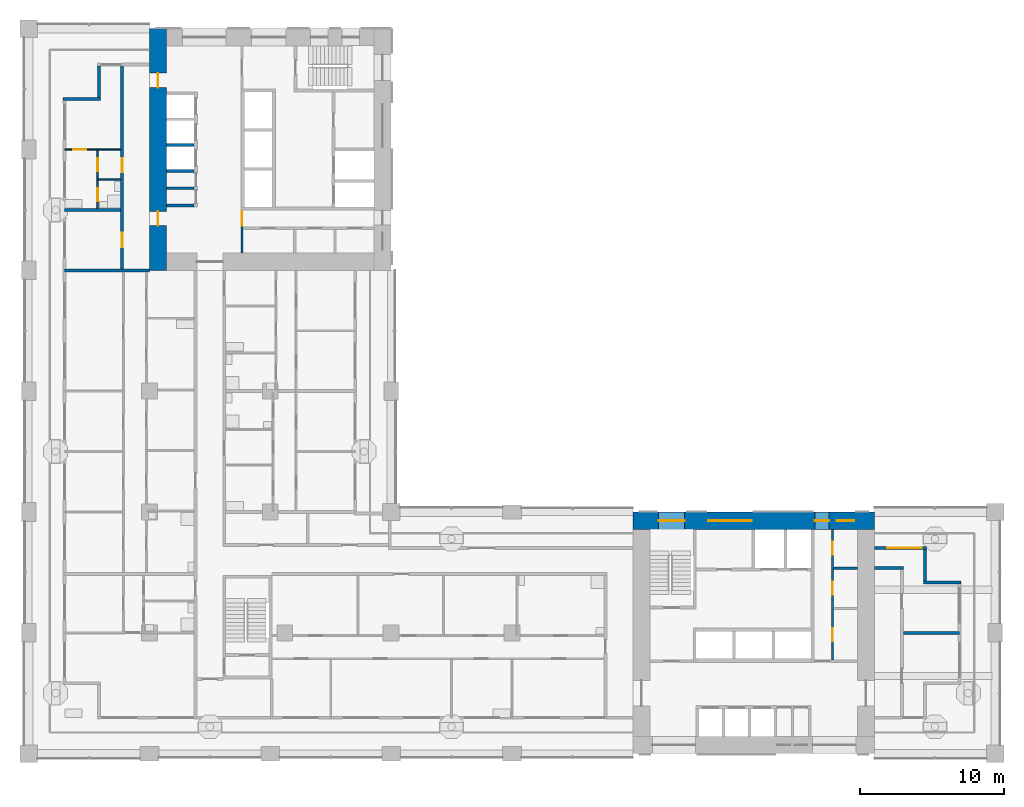
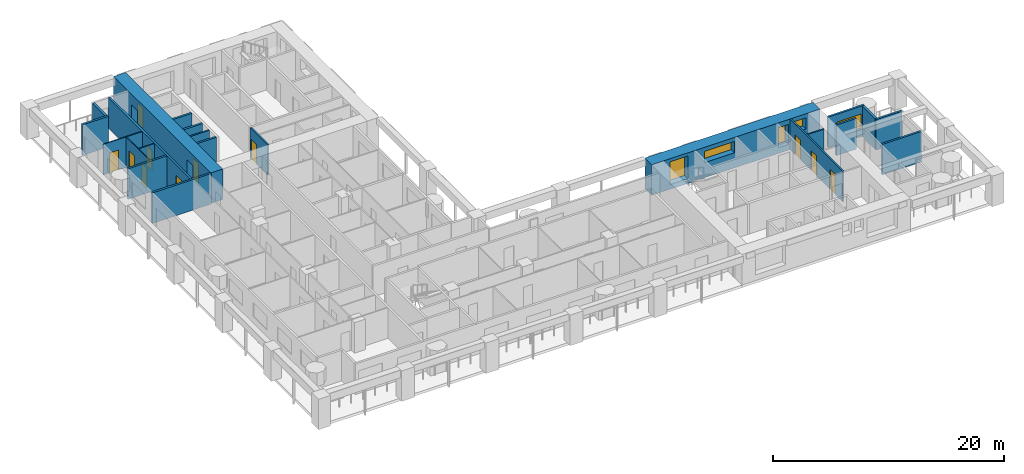
# One storey, part 6 of 18: 22 walls, 11 doors, 5 windows, 16 openings.
"""IFC4 building model written with IfcOpenShell, lengths in metres."""

from ifc_helpers import new_model, si_unit, direction, frame, frame_2d, origin, place, context, subcontext, project, spatial, rectangle, extrude, material, layer, layer_set, type_object, element, fill, save


model = new_model("IFC4")

# Units and contexts
model_context = context("Model", 3, precision=1e-05, world=origin(), true_north=direction((0.0, 1.0)))
body_context = subcontext(model_context, "Body", "Model", "MODEL_VIEW")
ifc_project = project(units=[si_unit("LENGTHUNIT", "METRE"), si_unit("AREAUNIT", "SQUARE_METRE"), si_unit("VOLUMEUNIT", "CUBIC_METRE"), si_unit("PLANEANGLEUNIT", "RADIAN"), si_unit("MASSUNIT", "GRAM", prefix="KILO")], contexts=[model_context])

# Site, building, storey
site_placement = place(None, origin())
site = spatial("IfcSite", under=ifc_project, at=site_placement, CompositionType="ELEMENT")
building_placement = place(site_placement, origin())
building = spatial("IfcBuilding", under=site, at=building_placement, Name="Vermilion Gate Residences", CompositionType="ELEMENT")
storey_placement = place(building_placement, frame((0.0, 0.0, 81.199951171875)))
storey = spatial("IfcBuildingStorey", under=building, at=storey_placement, Name="L19", CompositionType="ELEMENT", Elevation=81.199951171875)

# Wall
ifc_material_1 = material(Name="Masonry blockwork", Category="masonry")
ifc_layer_1 = layer(ifc_material_1, 0.14990234375)
ifc_layer_set_1 = layer_set([ifc_layer_1], Name="BLOCKWORK PARTITION 150 EI 120")
wall_type_1 = type_object("IfcWallType", Name="BLOCKWORK PARTITION 150 EI 120", PredefinedType="PARTITIONING", material=ifc_layer_set_1)
wall_1_placement = place(storey_placement, frame((55.949951171875, 21.284912109375, 0.0), z_axis=(0.0, 0.0, 1.0), x_axis=(1.0, 0.0, 0.0)))
element("IfcWall", 1, at=wall_1_placement, inside=storey, type_object=wall_type_1, Name="Core room partition A19-ES-P1", PredefinedType="PARTITIONING", context=body_context, shape_type="SweptSolid", body=[
    extrude(rectangle(XDim=1.650146484375, YDim=0.14990234375, at=frame_2d((0.8251953125, 0.0))), origin(), (0.0, 0.0, 1.0), 3.219970703125),
])

# Wall, openings, doors
wall_2_placement = place(storey_placement, frame((55.875, 14.89990234375, 0.0), z_axis=(0.0, 0.0, 1.0), x_axis=(0.0, 1.0, 0.0)))
wall_2 = element("IfcWall", 2, at=wall_2_placement, inside=storey, type_object=wall_type_1, Name="Core room partition A19-ES-W", PredefinedType="PARTITIONING", context=body_context, shape_type="SweptSolid", body=[
    extrude(rectangle(XDim=9.10009765625, YDim=0.14990234375, at=frame_2d((4.550048828125, 0.0))), origin(), (0.0, 0.0, 1.0), 3.219970703125),
])
opening_1_placement = place(wall_2_placement, frame((1.31005859375, 0.0, 0.0)))
opening_1 = element("IfcOpeningElement", 3, at=opening_1_placement, cuts=wall_2, Name="Opening DK19014", PredefinedType="OPENING", context=body_context, shape_type="SweptSolid", body=[
    extrude(rectangle(XDim=0.89990234375, YDim=2.10009765625, at=frame_2d((0.449951171875, 1.050048828125))), frame((0.0, 0.0849609375, 0.0), z_axis=(0.0, -1.0, 0.0), x_axis=(1.0, 0.0, 0.0)), (0.0, 0.0, 1.0), 0.169921875),
])
opening_2_placement = place(wall_2_placement, frame((4.5400390625, 0.0, 0.0)))
opening_2 = element("IfcOpeningElement", 4, at=opening_2_placement, cuts=wall_2, Name="Opening DK19015", PredefinedType="OPENING", context=body_context, shape_type="SweptSolid", body=[
    extrude(rectangle(XDim=0.89990234375, YDim=2.10009765625, at=frame_2d((0.449951171875, 1.050048828125))), frame((0.0, 0.0849609375, 0.0), z_axis=(0.0, -1.0, 0.0), x_axis=(1.0, 0.0, 0.0)), (0.0, 0.0, 1.0), 0.169921875),
])
opening_3_placement = place(wall_2_placement, frame((7.330078125, 0.0, 0.0)))
opening_3 = element("IfcOpeningElement", 5, at=opening_3_placement, cuts=wall_2, Name="Opening DK19016", PredefinedType="OPENING", context=body_context, shape_type="SweptSolid", body=[
    extrude(rectangle(XDim=0.89990234375, YDim=2.10009765625, at=frame_2d((0.449951171875, 1.050048828125))), frame((0.0, 0.0849609375, 0.0), z_axis=(0.0, -1.0, 0.0), x_axis=(1.0, 0.0, 0.0)), (0.0, 0.0, 1.0), 0.169921875),
])
ifc_material_2 = material(Name="Steel", Category="steel")
door_type_1 = type_object("IfcDoorType", Name="SERVICE ROOM DOOR FD60 900 X 2100", OperationType="SINGLE_SWING_LEFT", PredefinedType="DOOR", material=ifc_material_2)
door_1_placement = place(opening_1_placement, frame((0.89990234375, 0.0, 0.0), z_axis=(0.0, 0.0, 1.0), x_axis=(-1.0, 0.0, 0.0)))
door_1 = element("IfcDoor", 6, at=door_1_placement, inside=storey, type_object=door_type_1, Name="Parcel room A19", OperationType="SINGLE_SWING_RIGHT", OverallHeight=2.10009765625, OverallWidth=0.89990234375, PredefinedType="DOOR", context=body_context, shape_type="SweptSolid", body=[
    extrude(rectangle(XDim=0.89990234375, YDim=2.10009765625, at=frame_2d((0.449951171875, 1.050048828125))), frame((0.0, 0.02490234375, 0.0), z_axis=(0.0, -1.0, 0.0), x_axis=(1.0, 0.0, 0.0)), (0.0, 0.0, 1.0), 0.050048828125),
])
fill(opening_1, door_1)
door_2_placement = place(opening_2_placement, frame((0.89990234375, 0.0, 0.0), z_axis=(0.0, 0.0, 1.0), x_axis=(-1.0, 0.0, 0.0)))
door_2 = element("IfcDoor", 7, at=door_2_placement, inside=storey, type_object=door_type_1, Name="Cleaner's store A19", OperationType="SINGLE_SWING_RIGHT", OverallHeight=2.10009765625, OverallWidth=0.89990234375, PredefinedType="DOOR", context=body_context, shape_type="SweptSolid", body=[
    extrude(rectangle(XDim=0.89990234375, YDim=2.10009765625, at=frame_2d((0.449951171875, 1.050048828125))), frame((0.0, 0.02490234375, 0.0), z_axis=(0.0, -1.0, 0.0), x_axis=(1.0, 0.0, 0.0)), (0.0, 0.0, 1.0), 0.050048828125),
])
fill(opening_2, door_2)
door_3_placement = place(opening_3_placement, frame((0.89990234375, 0.0, 0.0), z_axis=(0.0, 0.0, 1.0), x_axis=(-1.0, 0.0, 0.0)))
door_3 = element("IfcDoor", 8, at=door_3_placement, inside=storey, type_object=door_type_1, Name="Electrical room A19", OperationType="SINGLE_SWING_LEFT", OverallHeight=2.10009765625, OverallWidth=0.89990234375, PredefinedType="DOOR", context=body_context, shape_type="SweptSolid", body=[
    extrude(rectangle(XDim=0.89990234375, YDim=2.10009765625, at=frame_2d((0.449951171875, 1.050048828125))), frame((0.0, 0.02490234375, 0.0), z_axis=(0.0, -1.0, 0.0), x_axis=(1.0, 0.0, 0.0)), (0.0, 0.0, 1.0), 0.050048828125),
])
fill(opening_3, door_3)

# Wall
wall_3_placement = place(storey_placement, frame((9.60009765625, 47.699951171875, 0.0), z_axis=(0.0, 0.0, 1.0), x_axis=(1.0, 0.0, 0.0)))
element("IfcWall", 9, at=wall_3_placement, inside=storey, type_object=wall_type_1, Name="Core room partition B19-SR-P0", PredefinedType="PARTITIONING", context=body_context, shape_type="SweptSolid", body=[
    extrude(rectangle(XDim=1.89990234375, YDim=0.14990234375, at=frame_2d((0.949951171875, 0.0))), origin(), (0.0, 0.0, 1.0), 3.219970703125),
])

# Wall, opening, door
wall_4_placement = place(storey_placement, frame((14.824951171875, 46.199951171875, 0.0), z_axis=(0.0, 0.0, 1.0), x_axis=(0.0, -1.0, 0.0)))
wall_4 = element("IfcWall", 10, at=wall_4_placement, inside=storey, type_object=wall_type_1, Name="Core room partition B19-ES-S", PredefinedType="PARTITIONING", context=body_context, shape_type="SweptSolid", body=[
    extrude(rectangle(XDim=3.0, YDim=0.14990234375, at=frame_2d((1.5, 0.0))), origin(), (0.0, 0.0, 1.0), 3.219970703125),
])
opening_4_placement = place(wall_4_placement, frame((0.10009765625, 0.0, 0.0)))
opening_4 = element("IfcOpeningElement", 11, at=opening_4_placement, cuts=wall_4, Name="Opening DK19114", PredefinedType="OPENING", context=body_context, shape_type="SweptSolid", body=[
    extrude(rectangle(XDim=1.0, YDim=2.10009765625, at=frame_2d((0.5, 1.050048828125))), frame((0.0, 0.0849609375, 0.0), z_axis=(0.0, -1.0, 0.0), x_axis=(1.0, 0.0, 0.0)), (0.0, 0.0, 1.0), 0.169921875),
])
ifc_material_3 = material(Name="Steel", Category="steel")
door_type_2 = type_object("IfcDoorType", Name="FIRE DOOR FD60 1000 X 2100", OperationType="SINGLE_SWING_LEFT", PredefinedType="DOOR", material=ifc_material_3)
door_4_placement = place(opening_4_placement, frame((1.0, 0.0, 0.0), z_axis=(0.0, 0.0, 1.0), x_axis=(-1.0, 0.0, 0.0)))
door_4 = element("IfcDoor", 12, at=door_4_placement, inside=storey, type_object=door_type_2, Name="Service corridor door B19", OperationType="SINGLE_SWING_LEFT", OverallHeight=2.10009765625, OverallWidth=1.0, PredefinedType="DOOR", context=body_context, shape_type="SweptSolid", body=[
    extrude(rectangle(XDim=1.0, YDim=2.10009765625, at=frame_2d((0.5, 1.050048828125))), frame((0.0, 0.02490234375, 0.0), z_axis=(0.0, -1.0, 0.0), x_axis=(1.0, 0.0, 0.0)), (0.0, 0.0, 1.0), 0.050048828125),
])
fill(opening_4, door_4)

# Walls
ifc_material_4 = material(Name="Insulated steel stud wall with terracotta rainscreen", Category="masonry")
ifc_layer_2 = layer(ifc_material_4, 0.199951171875)
ifc_layer_set_2 = layer_set([ifc_layer_2], Name="EXTERNAL WALL 200 TERRACOTTA RAINSCREEN")
wall_type_2 = type_object("IfcWallType", Name="EXTERNAL WALL 200 TERRACOTTA RAINSCREEN", PredefinedType="SOLIDWALL", material=ifc_layer_set_2)
wall_5_placement = place(storey_placement, frame((4.89990234375, 56.199951171875, 0.0), z_axis=(0.0, 0.0, 1.0), x_axis=(0.0, -1.0, 0.0)))
element("IfcWall", 13, at=wall_5_placement, inside=storey, type_object=wall_type_2, Name="External wall", PredefinedType="SOLIDWALL", context=body_context, shape_type="SweptSolid", body=[
    extrude(rectangle(XDim=2.199951171875, YDim=0.199951171875, at=frame_2d((1.10009765625, 0.0))), origin(), (0.0, 0.0, 1.0), 3.219970703125),
])
for number, where, z_axis, x_axis, name in (
    (14, (5.0, 53.89990234375, 0.0), (0.0, 0.0, 1.0), (-1.0, 0.0, 0.0), "External wall"),
    (15, (64.800048828125, 20.300048828125, 0.0), (0.0, 0.0, 1.0), (-1.0, 0.0, 0.0), "External wall"),
):
    element("IfcWall", number, at=place(storey_placement, frame(where, z_axis=z_axis, x_axis=x_axis)), inside=storey, type_object=wall_type_2, Name=name, PredefinedType="SOLIDWALL", context=body_context, shape_type="SweptSolid", body=[
        extrude(rectangle(XDim=2.60009765625, YDim=0.199951171875, at=frame_2d((1.300048828125, 0.0))), origin(), (0.0, 0.0, 1.0), 3.219970703125),
    ])
wall_6_placement = place(storey_placement, frame((62.300048828125, 20.39990234375, 0.0), z_axis=(0.0, 0.0, 1.0), x_axis=(0.0, 1.0, 0.0)))
element("IfcWall", 16, at=wall_6_placement, inside=storey, type_object=wall_type_2, Name="External wall", PredefinedType="SOLIDWALL", context=body_context, shape_type="SweptSolid", body=[
    extrude(rectangle(XDim=2.2001953125, YDim=0.199951171875, at=frame_2d((1.10009765625, 0.0))), origin(), (0.0, 0.0, 1.0), 3.219970703125),
])

# Wall, opening, window
wall_7_placement = place(storey_placement, frame((62.39990234375, 22.699951171875, 0.0), z_axis=(0.0, 0.0, 1.0), x_axis=(-1.0, 0.0, 0.0)))
wall_7 = element("IfcWall", 17, at=wall_7_placement, inside=storey, type_object=wall_type_2, Name="External wall", PredefinedType="SOLIDWALL", context=body_context, shape_type="SweptSolid", body=[
    extrude(rectangle(XDim=3.599853515625, YDim=0.199951171875, at=frame_2d((1.7998046875, 0.0))), origin(), (0.0, 0.0, 1.0), 3.219970703125),
])
opening_5_placement = place(wall_7_placement, frame((0.300048828125, 0.0, 0.89990234375)))
opening_5 = element("IfcOpeningElement", 18, at=opening_5_placement, cuts=wall_7, Name="Opening WE19023", PredefinedType="OPENING", context=body_context, shape_type="SweptSolid", body=[
    extrude(rectangle(XDim=2.39990234375, YDim=1.5, at=frame_2d((1.199951171875, 0.75))), frame((0.0, 0.10986328125, 0.0), z_axis=(0.0, -1.0, 0.0), x_axis=(1.0, 0.0, 0.0)), (0.0, 0.0, 1.0), 0.219970703125),
])
ifc_material_5 = material(Name="Aluminium and clear glass", Category="aluminium")
window_type_1 = type_object("IfcWindowType", Name="WINDOW 2400 X 1500", PartitioningType="SINGLE_PANEL", PredefinedType="WINDOW", material=ifc_material_5)
window_1_placement = place(opening_5_placement, origin())
window_1 = element("IfcWindow", 19, at=window_1_placement, inside=storey, type_object=window_type_1, Name="Window", OverallHeight=1.5, OverallWidth=2.39990234375, PartitioningType="SINGLE_PANEL", PredefinedType="WINDOW", context=body_context, shape_type="SweptSolid", body=[
    extrude(rectangle(XDim=2.39990234375, YDim=1.5, at=frame_2d((1.199951171875, 0.75))), frame((0.0, 0.030029296875, 0.0), z_axis=(0.0, -1.0, 0.0), x_axis=(1.0, 0.0, 0.0)), (0.0, 0.0, 1.0), 0.06005859375),
])
fill(opening_5, window_1)

# Wall
ifc_material_6 = material(Name="Plasterboard on steel studs", Category="steel")
ifc_layer_3 = layer(ifc_material_6, 0.10009765625)
ifc_layer_set_3 = layer_set([ifc_layer_3], Name="PARTITION 100")
wall_type_3 = type_object("IfcWallType", Name="PARTITION 100", PredefinedType="PARTITIONING", material=ifc_layer_set_3)
wall_8_placement = place(storey_placement, frame((4.85009765625, 48.300048828125, 0.0), z_axis=(0.0, 0.0, 1.0), x_axis=(1.0, 0.0, 0.0)))
element("IfcWall", 20, at=wall_8_placement, inside=storey, type_object=wall_type_3, Name="Partition", PredefinedType="PARTITIONING", context=body_context, shape_type="SweptSolid", body=[
    extrude(rectangle(XDim=1.5498046875, YDim=0.10009765625, at=frame_2d((0.77490234375, 0.0))), origin(), (0.0, 0.0, 1.0), 3.219970703125),
])

# Wall, opening, door
wall_9_placement = place(storey_placement, frame((2.5, 50.39990234375, 0.0), z_axis=(0.0, 0.0, 1.0), x_axis=(1.0, 0.0, 0.0)))
wall_9 = element("IfcWall", 21, at=wall_9_placement, inside=storey, type_object=wall_type_3, Name="Partition", PredefinedType="PARTITIONING", context=body_context, shape_type="SweptSolid", body=[
    extrude(rectangle(XDim=3.89990234375, YDim=0.10009765625, at=frame_2d((1.949951171875, 0.0))), origin(), (0.0, 0.0, 1.0), 3.219970703125),
])
opening_6_placement = place(wall_9_placement, frame((0.60009765625, 0.0, 0.0)))
opening_6 = element("IfcOpeningElement", 22, at=opening_6_placement, cuts=wall_9, Name="Opening DA19014", PredefinedType="OPENING", context=body_context, shape_type="SweptSolid", body=[
    extrude(rectangle(XDim=0.89990234375, YDim=2.10009765625, at=frame_2d((0.449951171875, 1.050048828125))), frame((0.0, 0.06005859375, 0.0), z_axis=(0.0, -1.0, 0.0), x_axis=(1.0, 0.0, 0.0)), (0.0, 0.0, 1.0), 0.1201171875),
])
ifc_material_7 = material(Name="Timber", Category="wood")
door_type_3 = type_object("IfcDoorType", Name="INTERIOR DOOR 900 X 2100", OperationType="SINGLE_SWING_LEFT", PredefinedType="DOOR", material=ifc_material_7)
door_5_placement = place(opening_6_placement, frame((0.89990234375, 0.0, 0.0), z_axis=(0.0, 0.0, 1.0), x_axis=(-1.0, 0.0, 0.0)))
door_5 = element("IfcDoor", 23, at=door_5_placement, inside=storey, type_object=door_type_3, Name="Interior door", OperationType="SINGLE_SWING_RIGHT", OverallHeight=2.10009765625, OverallWidth=0.89990234375, PredefinedType="DOOR", context=body_context, shape_type="SweptSolid", body=[
    extrude(rectangle(XDim=0.89990234375, YDim=2.10009765625, at=frame_2d((0.449951171875, 1.050048828125))), frame((0.0, 0.02490234375, 0.0), z_axis=(0.0, -1.0, 0.0), x_axis=(1.0, 0.0, 0.0)), (0.0, 0.0, 1.0), 0.050048828125),
])
fill(opening_6, door_5)

# Wall, openings, doors
wall_10_placement = place(storey_placement, frame((4.800048828125, 46.300048828125, 0.0), z_axis=(0.0, 0.0, 1.0), x_axis=(0.0, 1.0, 0.0)))
wall_10 = element("IfcWall", 24, at=wall_10_placement, inside=storey, type_object=wall_type_3, Name="Partition", PredefinedType="PARTITIONING", context=body_context, shape_type="SweptSolid", body=[
    extrude(rectangle(XDim=4.050048828125, YDim=0.10009765625, at=frame_2d((2.02490234375, 0.0))), origin(), (0.0, 0.0, 1.0), 3.219970703125),
])
opening_7_placement = place(wall_10_placement, frame((2.60009765625, 0.0, 0.0)))
opening_7 = element("IfcOpeningElement", 25, at=opening_7_placement, cuts=wall_10, Name="Opening DA19015", PredefinedType="OPENING", context=body_context, shape_type="SweptSolid", body=[
    extrude(rectangle(XDim=0.89990234375, YDim=2.10009765625, at=frame_2d((0.449951171875, 1.050048828125))), frame((0.0, 0.06005859375, 0.0), z_axis=(0.0, -1.0, 0.0), x_axis=(1.0, 0.0, 0.0)), (0.0, 0.0, 1.0), 0.1201171875),
])
opening_8_placement = place(wall_10_placement, frame((0.5, 0.0, 0.0)))
opening_8 = element("IfcOpeningElement", 26, at=opening_8_placement, cuts=wall_10, Name="Opening DA19016", PredefinedType="OPENING", context=body_context, shape_type="SweptSolid", body=[
    extrude(rectangle(XDim=0.89990234375, YDim=2.10009765625, at=frame_2d((0.449951171875, 1.050048828125))), frame((0.0, 0.06005859375, 0.0), z_axis=(0.0, -1.0, 0.0), x_axis=(1.0, 0.0, 0.0)), (0.0, 0.0, 1.0), 0.1201171875),
])
door_6_placement = place(opening_7_placement, origin())
door_6 = element("IfcDoor", 27, at=door_6_placement, inside=storey, type_object=door_type_3, Name="Interior door", OperationType="SINGLE_SWING_RIGHT", OverallHeight=2.10009765625, OverallWidth=0.89990234375, PredefinedType="DOOR", context=body_context, shape_type="SweptSolid", body=[
    extrude(rectangle(XDim=0.89990234375, YDim=2.10009765625, at=frame_2d((0.449951171875, 1.050048828125))), frame((0.0, 0.02490234375, 0.0), z_axis=(0.0, -1.0, 0.0), x_axis=(1.0, 0.0, 0.0)), (0.0, 0.0, 1.0), 0.050048828125),
])
fill(opening_7, door_6)
door_7_placement = place(opening_8_placement, frame((0.89990234375, 0.0, 0.0), z_axis=(0.0, 0.0, 1.0), x_axis=(-1.0, 0.0, 0.0)))
door_7 = element("IfcDoor", 28, at=door_7_placement, inside=storey, type_object=door_type_3, Name="Interior door", OperationType="SINGLE_SWING_RIGHT", OverallHeight=2.10009765625, OverallWidth=0.89990234375, PredefinedType="DOOR", context=body_context, shape_type="SweptSolid", body=[
    extrude(rectangle(XDim=0.89990234375, YDim=2.10009765625, at=frame_2d((0.449951171875, 1.050048828125))), frame((0.0, 0.02490234375, 0.0), z_axis=(0.0, -1.0, 0.0), x_axis=(1.0, 0.0, 0.0)), (0.0, 0.0, 1.0), 0.050048828125),
])
fill(opening_8, door_7)

# Walls
ifc_material_8 = material(Name="Fire-rated plasterboard on steel studs", Category="steel")
ifc_layer_4 = layer(ifc_material_8, 0.199951171875)
ifc_layer_set_4 = layer_set([ifc_layer_4], Name="PARTY WALL 200 EI 120")
wall_type_4 = type_object("IfcWallType", Name="PARTY WALL 200 EI 120", PredefinedType="PARTITIONING", material=ifc_layer_set_4)
wall_11_placement = place(storey_placement, frame((60.800048828125, 16.800048828125, 0.0), z_axis=(0.0, 0.0, 1.0), x_axis=(1.0, 0.0, 0.0)))
element("IfcWall", 29, at=wall_11_placement, inside=storey, type_object=wall_type_4, Name="Party and corridor wall", PredefinedType="PARTITIONING", context=body_context, shape_type="SweptSolid", body=[
    extrude(rectangle(XDim=3.89990234375, YDim=0.199951171875, at=frame_2d((1.949951171875, 0.0))), origin(), (0.0, 0.0, 1.0), 3.219970703125),
])
wall_12_placement = place(storey_placement, frame((58.800048828125, 21.300048828125, 0.0), z_axis=(0.0, 0.0, 1.0), x_axis=(1.0, 0.0, 0.0)))
element("IfcWall", 30, at=wall_12_placement, inside=storey, type_object=wall_type_4, Name="Party and corridor wall", PredefinedType="PARTITIONING", context=body_context, shape_type="SweptSolid", body=[
    extrude(rectangle(XDim=2.0, YDim=0.199951171875, at=frame_2d((1.0, 0.0))), origin(), (0.0, 0.0, 1.0), 3.219970703125),
])
wall_13_placement = place(storey_placement, frame((2.5, 42.0, 0.0), z_axis=(0.0, 0.0, 1.0), x_axis=(1.0, 0.0, 0.0)))
element("IfcWall", 31, at=wall_13_placement, inside=storey, type_object=wall_type_4, Name="Party and corridor wall", PredefinedType="PARTITIONING", context=body_context, shape_type="SweptSolid", body=[
    extrude(rectangle(XDim=5.89990234375, YDim=0.199951171875, at=frame_2d((2.949951171875, 0.0))), origin(), (0.0, 0.0, 1.0), 3.219970703125),
])
wall_14_placement = place(storey_placement, frame((2.5, 46.199951171875, 0.0), z_axis=(0.0, 0.0, 1.0), x_axis=(1.0, 0.0, 0.0)))
element("IfcWall", 32, at=wall_14_placement, inside=storey, type_object=wall_type_4, Name="Party and corridor wall", PredefinedType="PARTITIONING", context=body_context, shape_type="SweptSolid", body=[
    extrude(rectangle(XDim=3.89990234375, YDim=0.199951171875, at=frame_2d((1.949951171875, 0.0))), origin(), (0.0, 0.0, 1.0), 3.219970703125),
])

# Wall, openings, doors
wall_15_placement = place(storey_placement, frame((6.5, 42.10009765625, 0.0), z_axis=(0.0, 0.0, 1.0), x_axis=(0.0, 1.0, 0.0)))
wall_15 = element("IfcWall", 33, at=wall_15_placement, inside=storey, type_object=wall_type_4, Name="Party and corridor wall", PredefinedType="PARTITIONING", context=body_context, shape_type="SweptSolid", body=[
    extrude(rectangle(XDim=14.199951171875, YDim=0.199951171875, at=frame_2d((7.10009765625, 0.0))), origin(), (0.0, 0.0, 1.0), 3.219970703125),
])
opening_9_placement = place(wall_15_placement, frame((1.5, 0.0, 0.0)))
opening_9 = element("IfcOpeningElement", 34, at=opening_9_placement, cuts=wall_15, Name="Opening DA19017", PredefinedType="OPENING", context=body_context, shape_type="SweptSolid", body=[
    extrude(rectangle(XDim=1.0, YDim=2.10009765625, at=frame_2d((0.5, 1.050048828125))), frame((0.0, 0.10986328125, 0.0), z_axis=(0.0, -1.0, 0.0), x_axis=(1.0, 0.0, 0.0)), (0.0, 0.0, 1.0), 0.219970703125),
])
opening_10_placement = place(wall_15_placement, frame((6.699951171875, 0.0, 0.0)))
opening_10 = element("IfcOpeningElement", 35, at=opening_10_placement, cuts=wall_15, Name="Opening DA19018", PredefinedType="OPENING", context=body_context, shape_type="SweptSolid", body=[
    extrude(rectangle(XDim=1.0, YDim=2.10009765625, at=frame_2d((0.5, 1.050048828125))), frame((0.0, 0.10986328125, 0.0), z_axis=(0.0, -1.0, 0.0), x_axis=(1.0, 0.0, 0.0)), (0.0, 0.0, 1.0), 0.219970703125),
])
ifc_material_9 = material(Name="Steel", Category="steel")
door_type_4 = type_object("IfcDoorType", Name="ENTRANCE DOOR 1000 X 2100 FD30", OperationType="SINGLE_SWING_LEFT", PredefinedType="DOOR", material=ifc_material_9)
door_8_placement = place(opening_9_placement, origin())
door_8 = element("IfcDoor", 36, at=door_8_placement, inside=storey, type_object=door_type_4, Name="Entrance door", OperationType="SINGLE_SWING_LEFT", OverallHeight=2.10009765625, OverallWidth=1.0, PredefinedType="DOOR", context=body_context, shape_type="SweptSolid", body=[
    extrude(rectangle(XDim=1.0, YDim=2.10009765625, at=frame_2d((0.5, 1.050048828125))), frame((0.0, 0.02490234375, 0.0), z_axis=(0.0, -1.0, 0.0), x_axis=(1.0, 0.0, 0.0)), (0.0, 0.0, 1.0), 0.050048828125),
])
fill(opening_9, door_8)
door_9_placement = place(opening_10_placement, origin())
door_9 = element("IfcDoor", 37, at=door_9_placement, inside=storey, type_object=door_type_4, Name="Entrance door", OperationType="SINGLE_SWING_LEFT", OverallHeight=2.10009765625, OverallWidth=1.0, PredefinedType="DOOR", context=body_context, shape_type="SweptSolid", body=[
    extrude(rectangle(XDim=1.0, YDim=2.10009765625, at=frame_2d((0.5, 1.050048828125))), frame((0.0, 0.02490234375, 0.0), z_axis=(0.0, -1.0, 0.0), x_axis=(1.0, 0.0, 0.0)), (0.0, 0.0, 1.0), 0.050048828125),
])
fill(opening_10, door_9)

# Walls
ifc_material_10 = material(Name="Concrete C60", Category="concrete")
ifc_layer_5 = layer(ifc_material_10, 0.199951171875)
ifc_layer_set_5 = layer_set([ifc_layer_5], Name="RC CORE INTERNAL WALL 200 C60")
wall_type_5 = type_object("IfcWallType", Name="RC CORE INTERNAL WALL 200 C60", PredefinedType="SHEAR", material=ifc_layer_set_5)
for number, where, z_axis, x_axis, name in (
    (38, (9.60009765625, 50.699951171875, 0.0), (0.0, 0.0, 1.0), (1.0, 0.0, 0.0), "Core internal wall B19-LR-D2"),
    (39, (9.60009765625, 48.89990234375, 0.0), (0.0, 0.0, 1.0), (1.0, 0.0, 0.0), "Core internal wall B19-LR-D3"),
    (40, (9.60009765625, 46.5, 0.0), (0.0, 0.0, 1.0), (1.0, 0.0, 0.0), "Core internal wall B19-LR-DE"),
):
    element("IfcWall", number, at=place(storey_placement, frame(where, z_axis=z_axis, x_axis=x_axis)), inside=storey, type_object=wall_type_5, Name=name, PredefinedType="SHEAR", context=body_context, shape_type="SweptSolid", body=[
        extrude(rectangle(XDim=1.89990234375, YDim=0.199951171875, at=frame_2d((0.949951171875, 0.0))), origin(), (0.0, 0.0, 1.0), 3.219970703125),
    ])

# Wall, openings, doors
ifc_material_11 = material(Name="Concrete C70", Category="concrete")
ifc_layer_6 = layer(ifc_material_11, 1.199951171875)
ifc_layer_set_6 = layer_set([ifc_layer_6], Name="RC CORE WALL 1200 C70")
wall_type_6 = type_object("IfcWallType", Name="RC CORE WALL 1200 C70", PredefinedType="SHEAR", material=ifc_layer_set_6)
wall_16_placement = place(storey_placement, frame((9.0, 58.800048828125, 0.0), z_axis=(0.0, 0.0, 1.0), x_axis=(0.0, -1.0, 0.0)))
wall_16 = element("IfcWall", 41, at=wall_16_placement, inside=storey, type_object=wall_type_6, Name="Core wall B19-OUT-B0", PredefinedType="SHEAR", context=body_context, shape_type="SweptSolid", body=[
    extrude(rectangle(XDim=16.800048828125, YDim=1.199951171875, at=frame_2d((8.39990234375, 0.0))), origin(), (0.0, 0.0, 1.0), 3.219970703125),
])
opening_11_placement = place(wall_16_placement, frame((3.10009765625, 0.0, 0.0)))
opening_11 = element("IfcOpeningElement", 42, at=opening_11_placement, cuts=wall_16, Name="Opening DK19101", PredefinedType="OPENING", context=body_context, shape_type="SweptSolid", body=[
    extrude(rectangle(XDim=1.0, YDim=2.10009765625, at=frame_2d((0.5, 1.050048828125))), frame((0.0, 0.60986328125, 0.0), z_axis=(0.0, -1.0, 0.0), x_axis=(1.0, 0.0, 0.0)), (0.0, 0.0, 1.0), 1.219970703125),
])
opening_12_placement = place(wall_16_placement, frame((12.699951171875, 0.0, 0.0)))
opening_12 = element("IfcOpeningElement", 43, at=opening_12_placement, cuts=wall_16, Name="Opening DK19102", PredefinedType="OPENING", context=body_context, shape_type="SweptSolid", body=[
    extrude(rectangle(XDim=1.0, YDim=2.10009765625, at=frame_2d((0.5, 1.050048828125))), frame((0.0, 0.60986328125, 0.0), z_axis=(0.0, -1.0, 0.0), x_axis=(1.0, 0.0, 0.0)), (0.0, 0.0, 1.0), 1.219970703125),
])
door_10_placement = place(opening_11_placement, origin())
door_10 = element("IfcDoor", 44, at=door_10_placement, inside=storey, type_object=door_type_2, Name="Core lobby side door B19", OperationType="SINGLE_SWING_RIGHT", OverallHeight=2.10009765625, OverallWidth=1.0, PredefinedType="DOOR", context=body_context, shape_type="SweptSolid", body=[
    extrude(rectangle(XDim=1.0, YDim=2.10009765625, at=frame_2d((0.5, 1.050048828125))), frame((0.0, 0.02490234375, 0.0), z_axis=(0.0, -1.0, 0.0), x_axis=(1.0, 0.0, 0.0)), (0.0, 0.0, 1.0), 0.050048828125),
])
fill(opening_11, door_10)
door_11_placement = place(opening_12_placement, origin())
door_11 = element("IfcDoor", 45, at=door_11_placement, inside=storey, type_object=door_type_2, Name="Core lobby side door B19", OperationType="SINGLE_SWING_LEFT", OverallHeight=2.10009765625, OverallWidth=1.0, PredefinedType="DOOR", context=body_context, shape_type="SweptSolid", body=[
    extrude(rectangle(XDim=1.0, YDim=2.10009765625, at=frame_2d((0.5, 1.050048828125))), frame((0.0, 0.02490234375, 0.0), z_axis=(0.0, -1.0, 0.0), x_axis=(1.0, 0.0, 0.0)), (0.0, 0.0, 1.0), 0.050048828125),
])
fill(opening_12, door_11)

# Wall, openings, windows
ifc_material_12 = material(Name="Concrete C70 red-oxide pigmented", Category="concrete")
ifc_layer_7 = layer(ifc_material_12, 1.199951171875)
ifc_layer_set_7 = layer_set([ifc_layer_7], Name="RC CORE WALL 1200 C70 RED OXIDE")
wall_type_7 = type_object("IfcWallType", Name="RC CORE WALL 1200 C70 RED OXIDE", PredefinedType="SHEAR", material=ifc_layer_set_7)
wall_17_placement = place(storey_placement, frame((42.0, 24.60009765625, 0.0), z_axis=(0.0, 0.0, 1.0), x_axis=(1.0, 0.0, 0.0)))
wall_17 = element("IfcWall", 46, at=wall_17_placement, inside=storey, type_object=wall_type_7, Name="Core wall A19-OUT-B1", PredefinedType="SHEAR", context=body_context, shape_type="SweptSolid", body=[
    extrude(rectangle(XDim=16.800048828125, YDim=1.199951171875, at=frame_2d((8.39990234375, 0.0))), origin(), (0.0, 0.0, 1.0), 3.219970703125),
])
opening_13_placement = place(wall_17_placement, frame((1.800048828125, 0.0, 0.5)))
opening_13 = element("IfcOpeningElement", 47, at=opening_13_placement, cuts=wall_17, Name="Opening WKA1905", PredefinedType="OPENING", context=body_context, shape_type="SweptSolid", body=[
    extrude(rectangle(XDim=1.800048828125, YDim=2.39990234375, at=frame_2d((0.89990234375, 1.199951171875))), frame((0.0, 0.60986328125, 0.0), z_axis=(0.0, -1.0, 0.0), x_axis=(1.0, 0.0, 0.0)), (0.0, 0.0, 1.0), 1.219970703125),
])
opening_14_placement = place(wall_17_placement, frame((5.25, 0.0, 1.60009765625)))
opening_14 = element("IfcOpeningElement", 48, at=opening_14_placement, cuts=wall_17, Name="Opening WKA1906", PredefinedType="OPENING", context=body_context, shape_type="SweptSolid", body=[
    extrude(rectangle(XDim=3.0, YDim=1.199951171875, at=frame_2d((1.5, 0.60009765625))), frame((0.0, 0.60986328125, 0.0), z_axis=(0.0, -1.0, 0.0), x_axis=(1.0, 0.0, 0.0)), (0.0, 0.0, 1.0), 1.219970703125),
])
opening_15_placement = place(wall_17_placement, frame((12.64990234375, 0.0, 0.60009765625)))
opening_15 = element("IfcOpeningElement", 49, at=opening_15_placement, cuts=wall_17, Name="Opening WKA1907", PredefinedType="OPENING", context=body_context, shape_type="SweptSolid", body=[
    extrude(rectangle(XDim=1.0, YDim=2.10009765625, at=frame_2d((0.5, 1.050048828125))), frame((0.0, 0.60986328125, 0.0), z_axis=(0.0, -1.0, 0.0), x_axis=(1.0, 0.0, 0.0)), (0.0, 0.0, 1.0), 1.219970703125),
])
opening_16_placement = place(wall_17_placement, frame((14.175048828125, 0.0, 1.60009765625)))
opening_16 = element("IfcOpeningElement", 50, at=opening_16_placement, cuts=wall_17, Name="Opening WKA1908", PredefinedType="OPENING", context=body_context, shape_type="SweptSolid", body=[
    extrude(rectangle(XDim=1.199951171875, YDim=1.199951171875, at=frame_2d((0.60009765625, 0.60009765625))), frame((0.0, 0.60986328125, 0.0), z_axis=(0.0, -1.0, 0.0), x_axis=(1.0, 0.0, 0.0)), (0.0, 0.0, 1.0), 1.219970703125),
])
ifc_material_13 = material(Name="Aluminium and clear glass", Category="aluminium")
window_type_2 = type_object("IfcWindowType", Name="CORE CORRIDOR WINDOW 1000 X 2100", PartitioningType="SINGLE_PANEL", PredefinedType="WINDOW", material=ifc_material_13)
window_2_placement = place(opening_15_placement, origin())
window_2 = element("IfcWindow", 51, at=window_2_placement, inside=storey, type_object=window_type_2, Name="Core corridor window", OverallHeight=2.10009765625, OverallWidth=1.0, PartitioningType="SINGLE_PANEL", PredefinedType="WINDOW", context=body_context, shape_type="SweptSolid", body=[
    extrude(rectangle(XDim=1.0, YDim=2.10009765625, at=frame_2d((0.5, 1.050048828125))), frame((0.0, 0.030029296875, 0.0), z_axis=(0.0, -1.0, 0.0), x_axis=(1.0, 0.0, 0.0)), (0.0, 0.0, 1.0), 0.06005859375),
])
fill(opening_15, window_2)
ifc_material_14 = material(Name="Aluminium frame with louvre blades", Category="aluminium")
window_type_3 = type_object("IfcWindowType", Name="CORE LOUVRE 1200 X 1200", PartitioningType="SINGLE_PANEL", PredefinedType="WINDOW", material=ifc_material_14)
window_3_placement = place(opening_16_placement, origin())
window_3 = element("IfcWindow", 52, at=window_3_placement, inside=storey, type_object=window_type_3, Name="Core louvre", OverallHeight=1.199951171875, OverallWidth=1.199951171875, PartitioningType="SINGLE_PANEL", PredefinedType="WINDOW", context=body_context, shape_type="SweptSolid", body=[
    extrude(rectangle(XDim=1.199951171875, YDim=1.199951171875, at=frame_2d((0.60009765625, 0.60009765625))), frame((0.0, 0.030029296875, 0.0), z_axis=(0.0, -1.0, 0.0), x_axis=(1.0, 0.0, 0.0)), (0.0, 0.0, 1.0), 0.06005859375),
])
fill(opening_16, window_3)
ifc_material_15 = material(Name="Aluminium frame with louvre blades", Category="aluminium")
window_type_4 = type_object("IfcWindowType", Name="CORE LOUVRE 3000 X 1200", PartitioningType="SINGLE_PANEL", PredefinedType="WINDOW", material=ifc_material_15)
window_4_placement = place(opening_14_placement, origin())
window_4 = element("IfcWindow", 53, at=window_4_placement, inside=storey, type_object=window_type_4, Name="Core louvre", OverallHeight=1.199951171875, OverallWidth=3.0, PartitioningType="SINGLE_PANEL", PredefinedType="WINDOW", context=body_context, shape_type="SweptSolid", body=[
    extrude(rectangle(XDim=3.0, YDim=1.199951171875, at=frame_2d((1.5, 0.60009765625))), frame((0.0, 0.030029296875, 0.0), z_axis=(0.0, -1.0, 0.0), x_axis=(1.0, 0.0, 0.0)), (0.0, 0.0, 1.0), 0.06005859375),
])
fill(opening_14, window_4)
ifc_material_16 = material(Name="Aluminium and clear glass", Category="aluminium")
window_type_5 = type_object("IfcWindowType", Name="CORE STAIR WINDOW 1800 X 2400", PartitioningType="SINGLE_PANEL", PredefinedType="WINDOW", material=ifc_material_16)
window_5_placement = place(opening_13_placement, origin())
window_5 = element("IfcWindow", 54, at=window_5_placement, inside=storey, type_object=window_type_5, Name="Core stair window", OverallHeight=2.39990234375, OverallWidth=1.800048828125, PartitioningType="SINGLE_PANEL", PredefinedType="WINDOW", context=body_context, shape_type="SweptSolid", body=[
    extrude(rectangle(XDim=1.800048828125, YDim=2.39990234375, at=frame_2d((0.89990234375, 1.199951171875))), frame((0.0, 0.030029296875, 0.0), z_axis=(0.0, -1.0, 0.0), x_axis=(1.0, 0.0, 0.0)), (0.0, 0.0, 1.0), 0.06005859375),
])
fill(opening_13, window_5)

save(model, "model.ifc")
